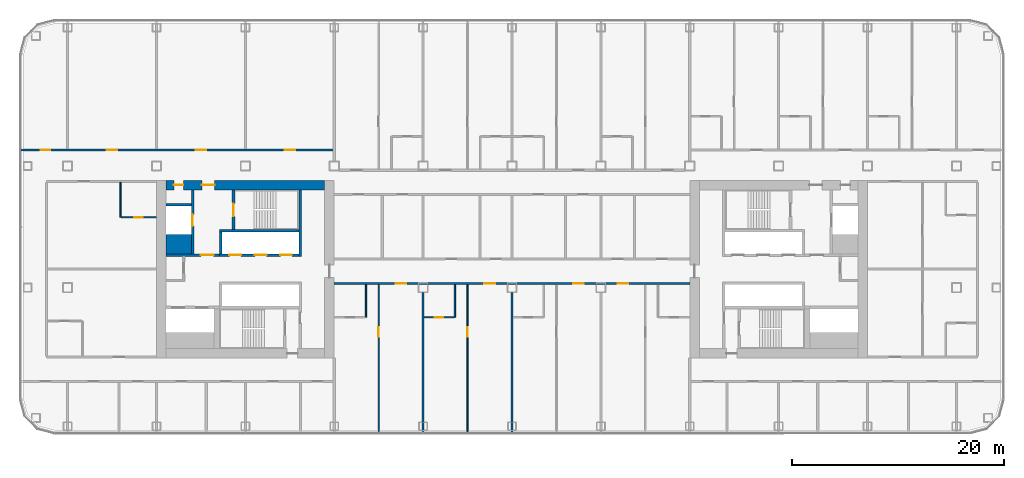
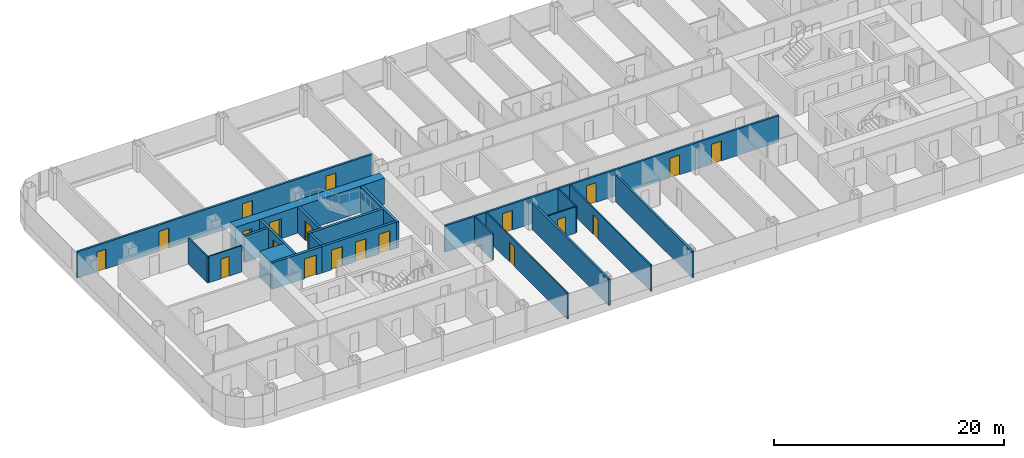
# One storey, part 16 of 29: 21 walls, 20 doors, 20 openings.
"""IFC4 building model written with IfcOpenShell, lengths in metres."""

from ifc_helpers import new_model, si_unit, direction, frame, frame_2d, origin, place, context, subcontext, project, spatial, rectangle, extrude, material, layer, layer_set, type_object, element, fill, save


model = new_model("IFC4")

# Units and contexts
model_context = context("Model", 3, precision=1e-05, world=origin(), true_north=direction((0.0, 1.0)))
body_context = subcontext(model_context, "Body", "Model", "MODEL_VIEW")
ifc_project = project(units=[si_unit("LENGTHUNIT", "METRE"), si_unit("AREAUNIT", "SQUARE_METRE"), si_unit("VOLUMEUNIT", "CUBIC_METRE"), si_unit("PLANEANGLEUNIT", "RADIAN"), si_unit("MASSUNIT", "GRAM", prefix="KILO")], contexts=[model_context])

# Site, building, storey
site_placement = place(None, origin())
site = spatial("IfcSite", under=ifc_project, at=site_placement, CompositionType="ELEMENT")
building_placement = place(site_placement, origin())
building = spatial("IfcBuilding", under=site, at=building_placement, Name="Hakoniwa Tower and Hamabe Station Hall", CompositionType="ELEMENT")
storey_placement = place(building_placement, frame((0.0, 0.0, 88.199951171875)))
storey = spatial("IfcBuildingStorey", under=building, at=storey_placement, Name="L24", CompositionType="ELEMENT", Elevation=88.199951171875)

# Wall, opening, door
ifc_material_1 = material(Name="Gypsum board partition", Category="gypsum")
ifc_layer_1 = layer(ifc_material_1, 0.125)
ifc_layer_set_1 = layer_set([ifc_layer_1], Name="Bathroom Partition 125")
wall_type_1 = type_object("IfcWallType", Name="Bathroom Partition 125", PredefinedType="PARTITIONING", material=ifc_layer_set_1)
wall_1_placement = place(storey_placement, frame((-8.300048828125, -4.550048828125, 0.0), z_axis=(0.0, 0.0, 1.0), x_axis=(1.0, 0.0, 0.0)))
wall_1 = element("IfcWall", 1, at=wall_1_placement, inside=storey, type_object=wall_type_1, Name="GW-L24-008", PredefinedType="PARTITIONING", context=body_context, shape_type="SweptSolid", body=[
    extrude(rectangle(XDim=2.837646484375, YDim=0.125, at=frame_2d((1.4189453125, 0.0))), origin(), (0.0, 0.0, 1.0), 2.800048828125),
])
opening_1_placement = place(wall_1_placement, frame((1.0, 0.0, 0.0)))
opening_1 = element("IfcOpeningElement", 2, at=opening_1_placement, cuts=wall_1, Name="Opening GD-G2E0-20", PredefinedType="OPENING", context=body_context, shape_type="SweptSolid", body=[
    extrude(rectangle(XDim=0.800048828125, YDim=2.10009765625, at=frame_2d((0.39990234375, 1.050048828125))), frame((0.0, 0.072509765625, 0.0), z_axis=(0.0, -1.0, 0.0), x_axis=(1.0, 0.0, 0.0)), (0.0, 0.0, 1.0), 0.14501953125),
])
ifc_material_2 = material(Name="Timber door leaf", Category="wood")
door_type_1 = type_object("IfcDoorType", Name="Bathroom Door 800", OperationType="SINGLE_SWING_LEFT", PredefinedType="DOOR", material=ifc_material_2)
door_1_placement = place(opening_1_placement, origin())
door_1 = element("IfcDoor", 3, at=door_1_placement, inside=storey, type_object=door_type_1, Name="Door GD-G2E0-20", OperationType="SINGLE_SWING_LEFT", OverallHeight=2.10009765625, OverallWidth=0.800048828125, PredefinedType="DOOR", context=body_context, shape_type="SweptSolid", body=[
    extrude(rectangle(XDim=0.800048828125, YDim=2.10009765625, at=frame_2d((0.39990234375, 1.050048828125))), frame((0.0, 0.02490234375, 0.0), z_axis=(0.0, -1.0, 0.0), x_axis=(1.0, 0.0, 0.0)), (0.0, 0.0, 1.0), 0.050048828125),
])
fill(opening_1, door_1)

wall_2_placement = place(storey_placement, frame((-36.9375, 4.89990234375, 0.0), z_axis=(0.0, 0.0, 1.0), x_axis=(1.0, 0.0, 0.0)))
wall_2 = element("IfcWall", 4, at=wall_2_placement, inside=storey, type_object=wall_type_1, Name="GW-L24-015", PredefinedType="PARTITIONING", context=body_context, shape_type="SweptSolid", body=[
    extrude(rectangle(XDim=3.33740234375, YDim=0.125, at=frame_2d((1.668701171875, 0.0))), origin(), (0.0, 0.0, 1.0), 2.800048828125),
])
opening_2_placement = place(wall_2_placement, frame((1.237548828125, 0.0, 0.0)))
opening_2 = element("IfcOpeningElement", 5, at=opening_2_placement, cuts=wall_2, Name="Opening GD-G2E0-31", PredefinedType="OPENING", context=body_context, shape_type="SweptSolid", body=[
    extrude(rectangle(XDim=0.800048828125, YDim=2.10009765625, at=frame_2d((0.39990234375, 1.050048828125))), frame((0.0, 0.072509765625, 0.0), z_axis=(0.0, -1.0, 0.0), x_axis=(1.0, 0.0, 0.0)), (0.0, 0.0, 1.0), 0.14501953125),
])
door_2_placement = place(opening_2_placement, origin())
door_2 = element("IfcDoor", 6, at=door_2_placement, inside=storey, type_object=door_type_1, Name="Door GD-G2E0-31", OperationType="SINGLE_SWING_RIGHT", OverallHeight=2.10009765625, OverallWidth=0.800048828125, PredefinedType="DOOR", context=body_context, shape_type="SweptSolid", body=[
    extrude(rectangle(XDim=0.800048828125, YDim=2.10009765625, at=frame_2d((0.39990234375, 1.050048828125))), frame((0.0, 0.02490234375, 0.0), z_axis=(0.0, -1.0, 0.0), x_axis=(1.0, 0.0, 0.0)), (0.0, 0.0, 1.0), 0.050048828125),
])
fill(opening_2, door_2)

# Walls
wall_3_placement = place(storey_placement, frame((-37.0, 4.89990234375, 0.0), z_axis=(0.0, 0.0, 1.0), x_axis=(0.0, 1.0, 0.0)))
element("IfcWall", 7, at=wall_3_placement, inside=storey, type_object=wall_type_1, Name="GW-L24-034", PredefinedType="PARTITIONING", context=body_context, shape_type="SweptSolid", body=[
    extrude(rectangle(XDim=3.300048828125, YDim=0.125, at=frame_2d((1.64990234375, 0.0))), origin(), (0.0, 0.0, 1.0), 2.800048828125),
])
for number, where, z_axis, x_axis, name in (
    (8, (-13.800048828125, -4.550048828125, 0.0), (0.0, 0.0, 1.0), (0.0, 1.0, 0.0), "GW-L24-043"),
    (9, (-5.39990234375, -4.550048828125, 0.0), (0.0, 0.0, 1.0), (0.0, 1.0, 0.0), "GW-L24-051"),
):
    element("IfcWall", number, at=place(storey_placement, frame(where, z_axis=z_axis, x_axis=x_axis)), inside=storey, type_object=wall_type_1, Name=name, PredefinedType="PARTITIONING", context=body_context, shape_type="SweptSolid", body=[
        extrude(rectangle(XDim=3.10009765625, YDim=0.125, at=frame_2d((1.550048828125, 0.0))), origin(), (0.0, 0.0, 1.0), 2.800048828125),
    ])

# Wall, openings, doors
ifc_material_3 = material(Name="Concrete C72", Category="concrete")
ifc_layer_2 = layer(ifc_material_3, 0.89990234375)
ifc_layer_set_2 = layer_set([ifc_layer_2], Name="CORE WALL 900 C72")
wall_type_2 = type_object("IfcWallType", Name="CORE WALL 900 C72", PredefinedType="SHEAR", material=ifc_layer_set_2)
wall_4_placement = place(storey_placement, frame((-32.699951171875, 7.949951171875, 0.0), z_axis=(0.0, 0.0, 1.0), x_axis=(1.0, 0.0, 0.0)))
wall_4 = element("IfcWall", 10, at=wall_4_placement, inside=storey, type_object=wall_type_2, Name="Core wall NORTH west", PredefinedType="SHEAR", context=body_context, shape_type="SweptSolid", body=[
    extrude(rectangle(XDim=15.0, YDim=0.89990234375, at=frame_2d((7.5, 0.0))), origin(), (0.0, 0.0, 1.0), 2.800048828125),
])
opening_3_placement = place(wall_4_placement, frame((3.39990234375, 0.0, 0.0)))
opening_3 = element("IfcOpeningElement", 11, at=opening_3_placement, cuts=wall_4, Name="Opening CD-W-FN1-12", PredefinedType="OPENING", context=body_context, shape_type="SweptSolid", body=[
    extrude(rectangle(XDim=1.199951171875, YDim=2.10009765625, at=frame_2d((0.60009765625, 1.050048828125))), frame((0.0, 0.4599609375, 0.0), z_axis=(0.0, -1.0, 0.0), x_axis=(1.0, 0.0, 0.0)), (0.0, 0.0, 1.0), 0.919921875),
])
opening_4_placement = place(wall_4_placement, frame((0.75, 0.0, 0.0)))
opening_4 = element("IfcOpeningElement", 12, at=opening_4_placement, cuts=wall_4, Name="Opening CD-W-FN2-9", PredefinedType="OPENING", context=body_context, shape_type="SweptSolid", body=[
    extrude(rectangle(XDim=0.89990234375, YDim=2.10009765625, at=frame_2d((0.449951171875, 1.050048828125))), frame((0.0, 0.4599609375, 0.0), z_axis=(0.0, -1.0, 0.0), x_axis=(1.0, 0.0, 0.0)), (0.0, 0.0, 1.0), 0.919921875),
])
ifc_material_4 = material(Name="Steel fire door", Category="steel")
door_type_2 = type_object("IfcDoorType", Name="CORE DOOR 1200 FD60", OperationType="DOUBLE_DOOR_SINGLE_SWING", PredefinedType="DOOR", material=ifc_material_4)
door_3_placement = place(opening_3_placement, origin())
door_3 = element("IfcDoor", 13, at=door_3_placement, inside=storey, type_object=door_type_2, Name="Stair vestibule door to the fire-fighting lobby", OperationType="DOUBLE_DOOR_SINGLE_SWING", OverallHeight=2.10009765625, OverallWidth=1.199951171875, PredefinedType="DOOR", context=body_context, shape_type="SweptSolid", body=[
    extrude(rectangle(XDim=1.199951171875, YDim=2.10009765625, at=frame_2d((0.60009765625, 1.050048828125))), frame((0.0, 0.02490234375, 0.0), z_axis=(0.0, -1.0, 0.0), x_axis=(1.0, 0.0, 0.0)), (0.0, 0.0, 1.0), 0.050048828125),
])
fill(opening_3, door_3)
ifc_material_5 = material(Name="Steel fire door", Category="steel")
door_type_3 = type_object("IfcDoorType", Name="CORE DOOR 900 FD30", OperationType="NOTDEFINED", PredefinedType="DOOR", material=ifc_material_5)
door_4_placement = place(opening_4_placement, origin())
door_4 = element("IfcDoor", 14, at=door_4_placement, inside=storey, type_object=door_type_3, Name="Riser access door", OperationType="SINGLE_SWING_LEFT", OverallHeight=2.10009765625, OverallWidth=0.89990234375, PredefinedType="DOOR", context=body_context, shape_type="SweptSolid", body=[
    extrude(rectangle(XDim=0.89990234375, YDim=2.10009765625, at=frame_2d((0.449951171875, 1.050048828125))), frame((0.0, 0.02490234375, 0.0), z_axis=(0.0, -1.0, 0.0), x_axis=(1.0, 0.0, 0.0)), (0.0, 0.0, 1.0), 0.050048828125),
])
fill(opening_4, door_4)

# Walls
ifc_material_6 = material(Name="Concrete C72", Category="concrete")
ifc_layer_3 = layer(ifc_material_6, 1.85009765625)
ifc_layer_set_3 = layer_set([ifc_layer_3], Name="CORE WEB WALL 1850 C72")
wall_type_3 = type_object("IfcWallType", Name="CORE WEB WALL 1850 C72", PredefinedType="SHEAR", material=ifc_layer_set_3)
wall_5_placement = place(storey_placement, frame((-32.699951171875, 2.375, 0.0), z_axis=(0.0, 0.0, 1.0), x_axis=(1.0, 0.0, 0.0)))
element("IfcWall", 15, at=wall_5_placement, inside=storey, type_object=wall_type_3, Name="Core wall CA west", PredefinedType="SHEAR", context=body_context, shape_type="SweptSolid", body=[
    extrude(rectangle(XDim=2.39990234375, YDim=1.85009765625, at=frame_2d((1.199951171875, 0.0))), origin(), (0.0, 0.0, 1.0), 2.800048828125),
])
ifc_material_7 = material(Name="Concrete C72", Category="concrete")
ifc_layer_4 = layer(ifc_material_7, 0.25)
ifc_layer_set_4 = layer_set([ifc_layer_4], Name="CORE WEB WALL 250 C72")
wall_type_4 = type_object("IfcWallType", Name="CORE WEB WALL 250 C72", PredefinedType="SHEAR", material=ifc_layer_set_4)
wall_6_placement = place(storey_placement, frame((-20.02490234375, 1.199951171875, 0.0), z_axis=(0.0, 0.0, 1.0), x_axis=(0.0, 1.0, 0.0)))
element("IfcWall", 16, at=wall_6_placement, inside=storey, type_object=wall_type_4, Name="Core wall W1N west", PredefinedType="SHEAR", context=body_context, shape_type="SweptSolid", body=[
    extrude(rectangle(XDim=6.300048828125, YDim=0.25, at=frame_2d((3.14990234375, 0.0))), origin(), (0.0, 0.0, 1.0), 2.800048828125),
])

# Wall, openings, doors
wall_7_placement = place(storey_placement, frame((-27.64990234375, 1.324951171875, 0.0), z_axis=(0.0, 0.0, 1.0), x_axis=(1.0, 0.0, 0.0)))
wall_7 = element("IfcWall", 17, at=wall_7_placement, inside=storey, type_object=wall_type_4, Name="Core wall NF west", PredefinedType="SHEAR", context=body_context, shape_type="SweptSolid", body=[
    extrude(rectangle(XDim=7.5, YDim=0.25, at=frame_2d((3.75, 0.0))), origin(), (0.0, 0.0, 1.0), 2.800048828125),
])
opening_5_placement = place(wall_7_placement, frame((5.75, 0.0, 0.0)))
opening_5 = element("IfcOpeningElement", 18, at=opening_5_placement, cuts=wall_7, Name="Opening LD-LR1", PredefinedType="OPENING", context=body_context, shape_type="SweptSolid", body=[
    extrude(rectangle(XDim=1.10009765625, YDim=2.10009765625, at=frame_2d((0.550048828125, 1.050048828125))), frame((0.0, 0.135009765625, 0.0), z_axis=(0.0, -1.0, 0.0), x_axis=(1.0, 0.0, 0.0)), (0.0, 0.0, 1.0), 0.27001953125),
])
opening_6_placement = place(wall_7_placement, frame((3.35009765625, 0.0, 0.0)))
opening_6 = element("IfcOpeningElement", 19, at=opening_6_placement, cuts=wall_7, Name="Opening LD-LR2", PredefinedType="OPENING", context=body_context, shape_type="SweptSolid", body=[
    extrude(rectangle(XDim=1.10009765625, YDim=2.10009765625, at=frame_2d((0.550048828125, 1.050048828125))), frame((0.0, 0.135009765625, 0.0), z_axis=(0.0, -1.0, 0.0), x_axis=(1.0, 0.0, 0.0)), (0.0, 0.0, 1.0), 0.27001953125),
])
opening_7_placement = place(wall_7_placement, frame((0.949951171875, 0.0, 0.0)))
opening_7 = element("IfcOpeningElement", 20, at=opening_7_placement, cuts=wall_7, Name="Opening LD-LR3", PredefinedType="OPENING", context=body_context, shape_type="SweptSolid", body=[
    extrude(rectangle(XDim=1.10009765625, YDim=2.10009765625, at=frame_2d((0.550048828125, 1.050048828125))), frame((0.0, 0.135009765625, 0.0), z_axis=(0.0, -1.0, 0.0), x_axis=(1.0, 0.0, 0.0)), (0.0, 0.0, 1.0), 0.27001953125),
])
ifc_material_8 = material(Name="Stainless steel SUS304", Category="steel")
door_type_4 = type_object("IfcDoorType", Name="LIFT LANDING DOOR 1100 FD60", OperationType="DOUBLE_DOOR_SLIDING", PredefinedType="DOOR", material=ifc_material_8)
door_5_placement = place(opening_5_placement, origin())
door_5 = element("IfcDoor", 21, at=door_5_placement, inside=storey, type_object=door_type_4, Name="Lift landing door LR1 L24", OperationType="DOUBLE_DOOR_SLIDING", OverallHeight=2.10009765625, OverallWidth=1.10009765625, PredefinedType="DOOR", context=body_context, shape_type="SweptSolid", body=[
    extrude(rectangle(XDim=1.10009765625, YDim=2.10009765625, at=frame_2d((0.550048828125, 1.050048828125))), frame((0.0, 0.02490234375, 0.0), z_axis=(0.0, -1.0, 0.0), x_axis=(1.0, 0.0, 0.0)), (0.0, 0.0, 1.0), 0.050048828125),
])
fill(opening_5, door_5)
door_6_placement = place(opening_6_placement, origin())
door_6 = element("IfcDoor", 22, at=door_6_placement, inside=storey, type_object=door_type_4, Name="Lift landing door LR2 L24", OperationType="DOUBLE_DOOR_SLIDING", OverallHeight=2.10009765625, OverallWidth=1.10009765625, PredefinedType="DOOR", context=body_context, shape_type="SweptSolid", body=[
    extrude(rectangle(XDim=1.10009765625, YDim=2.10009765625, at=frame_2d((0.550048828125, 1.050048828125))), frame((0.0, 0.02490234375, 0.0), z_axis=(0.0, -1.0, 0.0), x_axis=(1.0, 0.0, 0.0)), (0.0, 0.0, 1.0), 0.050048828125),
])
fill(opening_6, door_6)
door_7_placement = place(opening_7_placement, origin())
door_7 = element("IfcDoor", 23, at=door_7_placement, inside=storey, type_object=door_type_4, Name="Lift landing door LR3 L24", OperationType="DOUBLE_DOOR_SLIDING", OverallHeight=2.10009765625, OverallWidth=1.10009765625, PredefinedType="DOOR", context=body_context, shape_type="SweptSolid", body=[
    extrude(rectangle(XDim=1.10009765625, YDim=2.10009765625, at=frame_2d((0.550048828125, 1.050048828125))), frame((0.0, 0.02490234375, 0.0), z_axis=(0.0, -1.0, 0.0), x_axis=(1.0, 0.0, 0.0)), (0.0, 0.0, 1.0), 0.050048828125),
])
fill(opening_7, door_7)

# Walls
wall_8_placement = place(storey_placement, frame((-27.52490234375, 1.449951171875, 0.0), z_axis=(0.0, 0.0, 1.0), x_axis=(0.0, 1.0, 0.0)))
element("IfcWall", 24, at=wall_8_placement, inside=storey, type_object=wall_type_4, Name="Core wall NE west", PredefinedType="SHEAR", context=body_context, shape_type="SweptSolid", body=[
    extrude(rectangle(XDim=2.050048828125, YDim=0.25, at=frame_2d((1.02490234375, 0.0))), origin(), (0.0, 0.0, 1.0), 2.800048828125),
])
wall_9_placement = place(storey_placement, frame((-27.64990234375, 3.625, 0.0), z_axis=(0.0, 0.0, 1.0), x_axis=(1.0, 0.0, 0.0)))
element("IfcWall", 25, at=wall_9_placement, inside=storey, type_object=wall_type_4, Name="Core wall NR west", PredefinedType="SHEAR", context=body_context, shape_type="SweptSolid", body=[
    extrude(rectangle(XDim=7.5, YDim=0.25, at=frame_2d((3.75, 0.0))), origin(), (0.0, 0.0, 1.0), 2.800048828125),
])

# Wall, opening, door
wall_10_placement = place(storey_placement, frame((-26.324951171875, 3.75, 0.0), z_axis=(0.0, 0.0, 1.0), x_axis=(0.0, 1.0, 0.0)))
wall_10 = element("IfcWall", 26, at=wall_10_placement, inside=storey, type_object=wall_type_4, Name="Core wall NSE west", PredefinedType="SHEAR", context=body_context, shape_type="SweptSolid", body=[
    extrude(rectangle(XDim=3.75, YDim=0.25, at=frame_2d((1.875, 0.0))), origin(), (0.0, 0.0, 1.0), 2.800048828125),
])
opening_8_placement = place(wall_10_placement, frame((1.25, 0.0, 0.0)))
opening_8 = element("IfcOpeningElement", 27, at=opening_8_placement, cuts=wall_10, Name="Opening CD-W-SN-12", PredefinedType="OPENING", context=body_context, shape_type="SweptSolid", body=[
    extrude(rectangle(XDim=1.199951171875, YDim=2.10009765625, at=frame_2d((0.60009765625, 1.050048828125))), frame((0.0, 0.135009765625, 0.0), z_axis=(0.0, -1.0, 0.0), x_axis=(1.0, 0.0, 0.0)), (0.0, 0.0, 1.0), 0.27001953125),
])
door_8_placement = place(opening_8_placement, origin())
door_8 = element("IfcDoor", 28, at=door_8_placement, inside=storey, type_object=door_type_2, Name="Escape stair door", OperationType="DOUBLE_DOOR_SINGLE_SWING", OverallHeight=2.10009765625, OverallWidth=1.199951171875, PredefinedType="DOOR", context=body_context, shape_type="SweptSolid", body=[
    extrude(rectangle(XDim=1.199951171875, YDim=2.10009765625, at=frame_2d((0.60009765625, 1.050048828125))), frame((0.0, 0.02490234375, 0.0), z_axis=(0.0, -1.0, 0.0), x_axis=(1.0, 0.0, 0.0)), (0.0, 0.0, 1.0), 0.050048828125),
])
fill(opening_8, door_8)

wall_11_placement = place(storey_placement, frame((-32.699951171875, 1.324951171875, 0.0), z_axis=(0.0, 0.0, 1.0), x_axis=(1.0, 0.0, 0.0)))
wall_11 = element("IfcWall", 29, at=wall_11_placement, inside=storey, type_object=wall_type_4, Name="Core wall ELN west", PredefinedType="SHEAR", context=body_context, shape_type="SweptSolid", body=[
    extrude(rectangle(XDim=5.050048828125, YDim=0.25, at=frame_2d((2.52490234375, 0.0))), origin(), (0.0, 0.0, 1.0), 2.800048828125),
])
opening_9_placement = place(wall_11_placement, frame((3.300048828125, 0.0, 0.0)))
opening_9 = element("IfcOpeningElement", 30, at=opening_9_placement, cuts=wall_11, Name="Opening CD-W-FL-12", PredefinedType="OPENING", context=body_context, shape_type="SweptSolid", body=[
    extrude(rectangle(XDim=1.199951171875, YDim=2.10009765625, at=frame_2d((0.60009765625, 1.050048828125))), frame((0.0, 0.135009765625, 0.0), z_axis=(0.0, -1.0, 0.0), x_axis=(1.0, 0.0, 0.0)), (0.0, 0.0, 1.0), 0.27001953125),
])
door_9_placement = place(opening_9_placement, origin())
door_9 = element("IfcDoor", 31, at=door_9_placement, inside=storey, type_object=door_type_2, Name="Stair vestibule door to the fire-fighting lobby", OperationType="DOUBLE_DOOR_SINGLE_SWING", OverallHeight=2.10009765625, OverallWidth=1.199951171875, PredefinedType="DOOR", context=body_context, shape_type="SweptSolid", body=[
    extrude(rectangle(XDim=1.199951171875, YDim=2.10009765625, at=frame_2d((0.60009765625, 1.050048828125))), frame((0.0, 0.02490234375, 0.0), z_axis=(0.0, -1.0, 0.0), x_axis=(1.0, 0.0, 0.0)), (0.0, 0.0, 1.0), 0.050048828125),
])
fill(opening_9, door_9)

wall_12_placement = place(storey_placement, frame((-30.175048828125, 1.449951171875, 0.0), z_axis=(0.0, 0.0, 1.0), x_axis=(0.0, 1.0, 0.0)))
wall_12 = element("IfcWall", 32, at=wall_12_placement, inside=storey, type_object=wall_type_4, Name="Core wall FFF west", PredefinedType="SHEAR", context=body_context, shape_type="SweptSolid", body=[
    extrude(rectangle(XDim=6.050048828125, YDim=0.25, at=frame_2d((3.02490234375, 0.0))), origin(), (0.0, 0.0, 1.0), 2.800048828125),
])
opening_10_placement = place(wall_12_placement, frame((2.625, 0.0, 0.0)))
opening_10 = element("IfcOpeningElement", 33, at=opening_10_placement, cuts=wall_12, Name="Opening LD-FF1", PredefinedType="OPENING", context=body_context, shape_type="SweptSolid", body=[
    extrude(rectangle(XDim=1.10009765625, YDim=2.10009765625, at=frame_2d((0.550048828125, 1.050048828125))), frame((0.0, 0.135009765625, 0.0), z_axis=(0.0, -1.0, 0.0), x_axis=(1.0, 0.0, 0.0)), (0.0, 0.0, 1.0), 0.27001953125),
])
door_10_placement = place(opening_10_placement, origin())
door_10 = element("IfcDoor", 34, at=door_10_placement, inside=storey, type_object=door_type_4, Name="Lift landing door FF1 L24", OperationType="DOUBLE_DOOR_SLIDING", OverallHeight=2.10009765625, OverallWidth=1.10009765625, PredefinedType="DOOR", context=body_context, shape_type="SweptSolid", body=[
    extrude(rectangle(XDim=1.10009765625, YDim=2.10009765625, at=frame_2d((0.550048828125, 1.050048828125))), frame((0.0, 0.02490234375, 0.0), z_axis=(0.0, -1.0, 0.0), x_axis=(1.0, 0.0, 0.0)), (0.0, 0.0, 1.0), 0.050048828125),
])
fill(opening_10, door_10)

# Wall
wall_13_placement = place(storey_placement, frame((-32.699951171875, 6.074951171875, 0.0), z_axis=(0.0, 0.0, 1.0), x_axis=(1.0, 0.0, 0.0)))
element("IfcWall", 35, at=wall_13_placement, inside=storey, type_object=wall_type_4, Name="Core wall C2 west", PredefinedType="SHEAR", context=body_context, shape_type="SweptSolid", body=[
    extrude(rectangle(XDim=2.39990234375, YDim=0.25, at=frame_2d((1.199951171875, 0.0))), origin(), (0.0, 0.0, 1.0), 2.800048828125),
])

# Wall, openings, doors
ifc_material_9 = material(Name="Fire-rated gypsum board partition", Category="gypsum")
ifc_layer_5 = layer(ifc_material_9, 0.199951171875)
ifc_layer_set_5 = layer_set([ifc_layer_5], Name="Corridor Wall 200")
wall_type_5 = type_object("IfcWallType", Name="Corridor Wall 200", PredefinedType="PARTITIONING", material=ifc_layer_set_5)
wall_14_placement = place(storey_placement, frame((-16.800048828125, -1.35009765625, 0.0), z_axis=(0.0, 0.0, 1.0), x_axis=(1.0, 0.0, 0.0)))
wall_14 = element("IfcWall", 36, at=wall_14_placement, inside=storey, type_object=wall_type_5, Name="GW-L24-011", PredefinedType="PARTITIONING", context=body_context, shape_type="SweptSolid", body=[
    extrude(rectangle(XDim=33.60009765625, YDim=0.199951171875, at=frame_2d((16.800048828125, 0.0))), origin(), (0.0, 0.0, 1.0), 2.800048828125),
])
opening_11_placement = place(wall_14_placement, frame((5.800048828125, 0.0, 0.0)))
opening_11 = element("IfcOpeningElement", 37, at=opening_11_placement, cuts=wall_14, Name="Opening GD-G2E0-23", PredefinedType="OPENING", context=body_context, shape_type="SweptSolid", body=[
    extrude(rectangle(XDim=1.0, YDim=2.10009765625, at=frame_2d((0.5, 1.050048828125))), frame((0.0, 0.10986328125, 0.0), z_axis=(0.0, -1.0, 0.0), x_axis=(1.0, 0.0, 0.0)), (0.0, 0.0, 1.0), 0.219970703125),
])
opening_12_placement = place(wall_14_placement, frame((14.199951171875, 0.0, 0.0)))
opening_12 = element("IfcOpeningElement", 38, at=opening_12_placement, cuts=wall_14, Name="Opening GD-G2E0-24", PredefinedType="OPENING", context=body_context, shape_type="SweptSolid", body=[
    extrude(rectangle(XDim=1.0, YDim=2.10009765625, at=frame_2d((0.5, 1.050048828125))), frame((0.0, 0.10986328125, 0.0), z_axis=(0.0, -1.0, 0.0), x_axis=(1.0, 0.0, 0.0)), (0.0, 0.0, 1.0), 0.219970703125),
])
opening_13_placement = place(wall_14_placement, frame((22.60009765625, 0.0, 0.0)))
opening_13 = element("IfcOpeningElement", 39, at=opening_13_placement, cuts=wall_14, Name="Opening GD-G2E0-25", PredefinedType="OPENING", context=body_context, shape_type="SweptSolid", body=[
    extrude(rectangle(XDim=1.0, YDim=2.10009765625, at=frame_2d((0.5, 1.050048828125))), frame((0.0, 0.10986328125, 0.0), z_axis=(0.0, -1.0, 0.0), x_axis=(1.0, 0.0, 0.0)), (0.0, 0.0, 1.0), 0.219970703125),
])
opening_14_placement = place(wall_14_placement, frame((26.800048828125, 0.0, 0.0)))
opening_14 = element("IfcOpeningElement", 40, at=opening_14_placement, cuts=wall_14, Name="Opening GD-G2E0-26", PredefinedType="OPENING", context=body_context, shape_type="SweptSolid", body=[
    extrude(rectangle(XDim=1.0, YDim=2.10009765625, at=frame_2d((0.5, 1.050048828125))), frame((0.0, 0.10986328125, 0.0), z_axis=(0.0, -1.0, 0.0), x_axis=(1.0, 0.0, 0.0)), (0.0, 0.0, 1.0), 0.219970703125),
])
ifc_material_10 = material(Name="Timber door leaf", Category="wood")
door_type_5 = type_object("IfcDoorType", Name="Guest Entrance Door 1000", OperationType="SINGLE_SWING_LEFT", PredefinedType="DOOR", material=ifc_material_10)
door_11_placement = place(opening_11_placement, origin())
door_11 = element("IfcDoor", 41, at=door_11_placement, inside=storey, type_object=door_type_5, Name="Door GD-G2E0-23", OperationType="SINGLE_SWING_LEFT", OverallHeight=2.10009765625, OverallWidth=1.0, PredefinedType="DOOR", context=body_context, shape_type="SweptSolid", body=[
    extrude(rectangle(XDim=1.0, YDim=2.10009765625, at=frame_2d((0.5, 1.050048828125))), frame((0.0, 0.02490234375, 0.0), z_axis=(0.0, -1.0, 0.0), x_axis=(1.0, 0.0, 0.0)), (0.0, 0.0, 1.0), 0.050048828125),
])
fill(opening_11, door_11)
door_12_placement = place(opening_12_placement, origin())
door_12 = element("IfcDoor", 42, at=door_12_placement, inside=storey, type_object=door_type_5, Name="Door GD-G2E0-24", OperationType="SINGLE_SWING_LEFT", OverallHeight=2.10009765625, OverallWidth=1.0, PredefinedType="DOOR", context=body_context, shape_type="SweptSolid", body=[
    extrude(rectangle(XDim=1.0, YDim=2.10009765625, at=frame_2d((0.5, 1.050048828125))), frame((0.0, 0.02490234375, 0.0), z_axis=(0.0, -1.0, 0.0), x_axis=(1.0, 0.0, 0.0)), (0.0, 0.0, 1.0), 0.050048828125),
])
fill(opening_12, door_12)
door_13_placement = place(opening_13_placement, origin())
door_13 = element("IfcDoor", 43, at=door_13_placement, inside=storey, type_object=door_type_5, Name="Door GD-G2E0-25", OperationType="SINGLE_SWING_LEFT", OverallHeight=2.10009765625, OverallWidth=1.0, PredefinedType="DOOR", context=body_context, shape_type="SweptSolid", body=[
    extrude(rectangle(XDim=1.0, YDim=2.10009765625, at=frame_2d((0.5, 1.050048828125))), frame((0.0, 0.02490234375, 0.0), z_axis=(0.0, -1.0, 0.0), x_axis=(1.0, 0.0, 0.0)), (0.0, 0.0, 1.0), 0.050048828125),
])
fill(opening_13, door_13)
door_14_placement = place(opening_14_placement, origin())
door_14 = element("IfcDoor", 44, at=door_14_placement, inside=storey, type_object=door_type_5, Name="Door GD-G2E0-26", OperationType="SINGLE_SWING_RIGHT", OverallHeight=2.10009765625, OverallWidth=1.0, PredefinedType="DOOR", context=body_context, shape_type="SweptSolid", body=[
    extrude(rectangle(XDim=1.0, YDim=2.10009765625, at=frame_2d((0.5, 1.050048828125))), frame((0.0, 0.02490234375, 0.0), z_axis=(0.0, -1.0, 0.0), x_axis=(1.0, 0.0, 0.0)), (0.0, 0.0, 1.0), 0.050048828125),
])
fill(opening_14, door_14)

wall_15_placement = place(storey_placement, frame((-46.5, 11.25, 0.0), z_axis=(0.0, 0.0, 1.0), x_axis=(1.0, 0.0, 0.0)))
wall_15 = element("IfcWall", 45, at=wall_15_placement, inside=storey, type_object=wall_type_5, Name="GW-L24-021", PredefinedType="PARTITIONING", context=body_context, shape_type="SweptSolid", body=[
    extrude(rectangle(XDim=29.699951171875, YDim=0.199951171875, at=frame_2d((14.85009765625, 0.0))), origin(), (0.0, 0.0, 1.0), 2.800048828125),
])
opening_15_placement = place(wall_15_placement, frame((1.949951171875, 0.0, 0.0)))
opening_15 = element("IfcOpeningElement", 46, at=opening_15_placement, cuts=wall_15, Name="Opening GD-G2E0-43", PredefinedType="OPENING", context=body_context, shape_type="SweptSolid", body=[
    extrude(rectangle(XDim=0.89990234375, YDim=2.10009765625, at=frame_2d((0.449951171875, 1.050048828125))), frame((0.0, 0.10986328125, 0.0), z_axis=(0.0, -1.0, 0.0), x_axis=(1.0, 0.0, 0.0)), (0.0, 0.0, 1.0), 0.219970703125),
])
opening_16_placement = place(wall_15_placement, frame((8.199951171875, 0.0, 0.0)))
opening_16 = element("IfcOpeningElement", 47, at=opening_16_placement, cuts=wall_15, Name="Opening GD-G2E0-44", PredefinedType="OPENING", context=body_context, shape_type="SweptSolid", body=[
    extrude(rectangle(XDim=1.0, YDim=2.10009765625, at=frame_2d((0.5, 1.050048828125))), frame((0.0, 0.10986328125, 0.0), z_axis=(0.0, -1.0, 0.0), x_axis=(1.0, 0.0, 0.0)), (0.0, 0.0, 1.0), 0.219970703125),
])
opening_17_placement = place(wall_15_placement, frame((16.60009765625, 0.0, 0.0)))
opening_17 = element("IfcOpeningElement", 48, at=opening_17_placement, cuts=wall_15, Name="Opening GD-G2E0-45", PredefinedType="OPENING", context=body_context, shape_type="SweptSolid", body=[
    extrude(rectangle(XDim=1.0, YDim=2.10009765625, at=frame_2d((0.5, 1.050048828125))), frame((0.0, 0.10986328125, 0.0), z_axis=(0.0, -1.0, 0.0), x_axis=(1.0, 0.0, 0.0)), (0.0, 0.0, 1.0), 0.219970703125),
])
opening_18_placement = place(wall_15_placement, frame((25.0, 0.0, 0.0)))
opening_18 = element("IfcOpeningElement", 49, at=opening_18_placement, cuts=wall_15, Name="Opening GD-G2E0-46", PredefinedType="OPENING", context=body_context, shape_type="SweptSolid", body=[
    extrude(rectangle(XDim=1.0, YDim=2.10009765625, at=frame_2d((0.5, 1.050048828125))), frame((0.0, 0.10986328125, 0.0), z_axis=(0.0, -1.0, 0.0), x_axis=(1.0, 0.0, 0.0)), (0.0, 0.0, 1.0), 0.219970703125),
])
door_15_placement = place(opening_16_placement, origin())
door_15 = element("IfcDoor", 50, at=door_15_placement, inside=storey, type_object=door_type_5, Name="Door GD-G2E0-44", OperationType="SINGLE_SWING_LEFT", OverallHeight=2.10009765625, OverallWidth=1.0, PredefinedType="DOOR", context=body_context, shape_type="SweptSolid", body=[
    extrude(rectangle(XDim=1.0, YDim=2.10009765625, at=frame_2d((0.5, 1.050048828125))), frame((0.0, 0.02490234375, 0.0), z_axis=(0.0, -1.0, 0.0), x_axis=(1.0, 0.0, 0.0)), (0.0, 0.0, 1.0), 0.050048828125),
])
fill(opening_16, door_15)
door_16_placement = place(opening_17_placement, origin())
door_16 = element("IfcDoor", 51, at=door_16_placement, inside=storey, type_object=door_type_5, Name="Door GD-G2E0-45", OperationType="SINGLE_SWING_RIGHT", OverallHeight=2.10009765625, OverallWidth=1.0, PredefinedType="DOOR", context=body_context, shape_type="SweptSolid", body=[
    extrude(rectangle(XDim=1.0, YDim=2.10009765625, at=frame_2d((0.5, 1.050048828125))), frame((0.0, 0.02490234375, 0.0), z_axis=(0.0, -1.0, 0.0), x_axis=(1.0, 0.0, 0.0)), (0.0, 0.0, 1.0), 0.050048828125),
])
fill(opening_17, door_16)
door_17_placement = place(opening_18_placement, origin())
door_17 = element("IfcDoor", 52, at=door_17_placement, inside=storey, type_object=door_type_5, Name="Door GD-G2E0-46", OperationType="SINGLE_SWING_LEFT", OverallHeight=2.10009765625, OverallWidth=1.0, PredefinedType="DOOR", context=body_context, shape_type="SweptSolid", body=[
    extrude(rectangle(XDim=1.0, YDim=2.10009765625, at=frame_2d((0.5, 1.050048828125))), frame((0.0, 0.02490234375, 0.0), z_axis=(0.0, -1.0, 0.0), x_axis=(1.0, 0.0, 0.0)), (0.0, 0.0, 1.0), 0.050048828125),
])
fill(opening_18, door_17)
ifc_material_11 = material(Name="Timber door leaf", Category="wood")
door_type_6 = type_object("IfcDoorType", Name="Service Door 900", OperationType="SINGLE_SWING_LEFT", PredefinedType="DOOR", material=ifc_material_11)
door_18_placement = place(opening_15_placement, origin())
door_18 = element("IfcDoor", 53, at=door_18_placement, inside=storey, type_object=door_type_6, Name="Door GD-G2E0-43", OperationType="SINGLE_SWING_LEFT", OverallHeight=2.10009765625, OverallWidth=0.89990234375, PredefinedType="DOOR", context=body_context, shape_type="SweptSolid", body=[
    extrude(rectangle(XDim=0.89990234375, YDim=2.10009765625, at=frame_2d((0.449951171875, 1.050048828125))), frame((0.0, 0.02490234375, 0.0), z_axis=(0.0, -1.0, 0.0), x_axis=(1.0, 0.0, 0.0)), (0.0, 0.0, 1.0), 0.050048828125),
])
fill(opening_15, door_18)

# Walls
ifc_material_12 = material(Name="Fire-rated gypsum board partition", Category="gypsum")
ifc_layer_6 = layer(ifc_material_12, 0.199951171875)
ifc_layer_set_6 = layer_set([ifc_layer_6], Name="Party Wall 200")
wall_type_6 = type_object("IfcWallType", Name="Party Wall 200", PredefinedType="PARTITIONING", material=ifc_layer_set_6)
for number, where, z_axis, x_axis, name in (
    (54, (-8.39990234375, -15.550048828125, 0.0), (0.0, 0.0, 1.0), (0.0, 1.0, 0.0), "GW-L24-048"),
    (55, (0.0, -15.550048828125, 0.0), (0.0, 0.0, 1.0), (0.0, 1.0, 0.0), "GW-L24-056"),
):
    element("IfcWall", number, at=place(storey_placement, frame(where, z_axis=z_axis, x_axis=x_axis)), inside=storey, type_object=wall_type_6, Name=name, PredefinedType="PARTITIONING", context=body_context, shape_type="SweptSolid", body=[
        extrude(rectangle(XDim=13.360107421875, YDim=0.199951171875, at=frame_2d((6.68017578125, 0.0))), origin(), (0.0, 0.0, 1.0), 2.800048828125),
    ])

# Wall, opening, door
ifc_material_13 = material(Name="Gypsum board partition", Category="gypsum")
ifc_layer_7 = layer(ifc_material_13, 0.125)
ifc_layer_set_7 = layer_set([ifc_layer_7], Name="Room Partition 125")
wall_type_7 = type_object("IfcWallType", Name="Room Partition 125", PredefinedType="PARTITIONING", material=ifc_layer_set_7)
wall_16_placement = place(storey_placement, frame((-12.60009765625, -15.550048828125, 0.0), z_axis=(0.0, 0.0, 1.0), x_axis=(0.0, 1.0, 0.0)))
wall_16 = element("IfcWall", 56, at=wall_16_placement, inside=storey, type_object=wall_type_7, Name="GW-L24-044", PredefinedType="PARTITIONING", context=body_context, shape_type="SweptSolid", body=[
    extrude(rectangle(XDim=14.10009765625, YDim=0.125, at=frame_2d((7.050048828125, 0.0))), origin(), (0.0, 0.0, 1.0), 2.800048828125),
])
opening_19_placement = place(wall_16_placement, frame((9.14990234375, 0.0, 0.0)))
opening_19 = element("IfcOpeningElement", 57, at=opening_19_placement, cuts=wall_16, Name="Opening GD-G2E0-58", PredefinedType="OPENING", context=body_context, shape_type="SweptSolid", body=[
    extrude(rectangle(XDim=0.89990234375, YDim=2.10009765625, at=frame_2d((0.449951171875, 1.050048828125))), frame((0.0, 0.072509765625, 0.0), z_axis=(0.0, -1.0, 0.0), x_axis=(1.0, 0.0, 0.0)), (0.0, 0.0, 1.0), 0.14501953125),
])
ifc_material_14 = material(Name="Timber door leaf", Category="wood")
door_type_7 = type_object("IfcDoorType", Name="Suite Interior Door 900", OperationType="SINGLE_SWING_LEFT", PredefinedType="DOOR", material=ifc_material_14)
door_19_placement = place(opening_19_placement, origin())
door_19 = element("IfcDoor", 58, at=door_19_placement, inside=storey, type_object=door_type_7, Name="Door GD-G2E0-58", OperationType="SINGLE_SWING_RIGHT", OverallHeight=2.10009765625, OverallWidth=0.89990234375, PredefinedType="DOOR", context=body_context, shape_type="SweptSolid", body=[
    extrude(rectangle(XDim=0.89990234375, YDim=2.10009765625, at=frame_2d((0.449951171875, 1.050048828125))), frame((0.0, 0.02490234375, 0.0), z_axis=(0.0, -1.0, 0.0), x_axis=(1.0, 0.0, 0.0)), (0.0, 0.0, 1.0), 0.050048828125),
])
fill(opening_19, door_19)

wall_17_placement = place(storey_placement, frame((-4.199951171875, -15.550048828125, 0.0), z_axis=(0.0, 0.0, 1.0), x_axis=(0.0, 1.0, 0.0)))
wall_17 = element("IfcWall", 59, at=wall_17_placement, inside=storey, type_object=wall_type_7, Name="GW-L24-052", PredefinedType="PARTITIONING", context=body_context, shape_type="SweptSolid", body=[
    extrude(rectangle(XDim=14.10009765625, YDim=0.125, at=frame_2d((7.050048828125, 0.0))), origin(), (0.0, 0.0, 1.0), 2.800048828125),
])
opening_20_placement = place(wall_17_placement, frame((9.14990234375, 0.0, 0.0)))
opening_20 = element("IfcOpeningElement", 60, at=opening_20_placement, cuts=wall_17, Name="Opening GD-G2E0-60", PredefinedType="OPENING", context=body_context, shape_type="SweptSolid", body=[
    extrude(rectangle(XDim=0.89990234375, YDim=2.10009765625, at=frame_2d((0.449951171875, 1.050048828125))), frame((0.0, 0.072509765625, 0.0), z_axis=(0.0, -1.0, 0.0), x_axis=(1.0, 0.0, 0.0)), (0.0, 0.0, 1.0), 0.14501953125),
])
door_20_placement = place(opening_20_placement, origin())
door_20 = element("IfcDoor", 61, at=door_20_placement, inside=storey, type_object=door_type_7, Name="Door GD-G2E0-60", OperationType="SINGLE_SWING_LEFT", OverallHeight=2.10009765625, OverallWidth=0.89990234375, PredefinedType="DOOR", context=body_context, shape_type="SweptSolid", body=[
    extrude(rectangle(XDim=0.89990234375, YDim=2.10009765625, at=frame_2d((0.449951171875, 1.050048828125))), frame((0.0, 0.02490234375, 0.0), z_axis=(0.0, -1.0, 0.0), x_axis=(1.0, 0.0, 0.0)), (0.0, 0.0, 1.0), 0.050048828125),
])
fill(opening_20, door_20)

save(model, "model.ifc")
